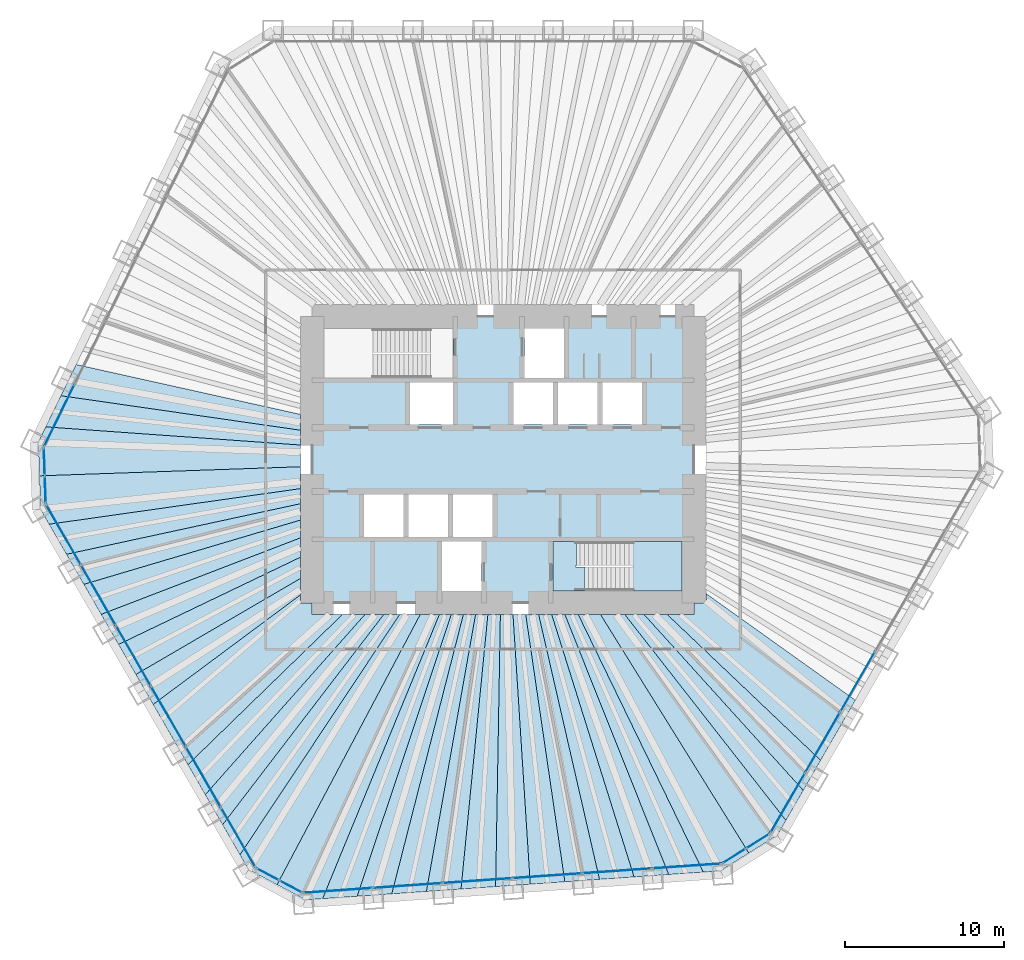
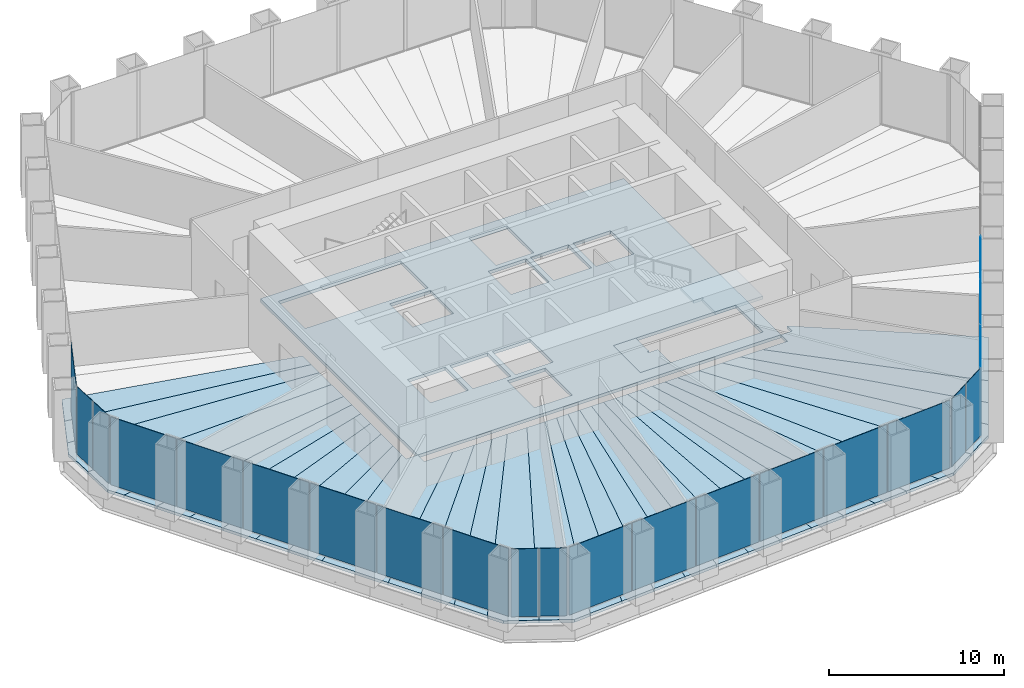
# One storey, part 8 of 14: 35 slabs, 22 plates, 8 elements without a shape of their own.
"""IFC4 building model written with IfcOpenShell, lengths in metres."""

from ifc_helpers import new_model, si_unit, direction, frame, origin, origin_2d, place, context, subcontext, project, spatial, polyline, rectangle, outline, extrude, material, layer, layer_set, type_object, element, aggregate, save


model = new_model("IFC4")

# Units and contexts
model_context = context("Model", 3, precision=1e-05, world=origin(), true_north=direction((0.0, 1.0)))
body_context = subcontext(model_context, "Body", "Model", "MODEL_VIEW")
ifc_project = project(units=[si_unit("LENGTHUNIT", "METRE"), si_unit("AREAUNIT", "SQUARE_METRE"), si_unit("VOLUMEUNIT", "CUBIC_METRE"), si_unit("PLANEANGLEUNIT", "RADIAN"), si_unit("MASSUNIT", "GRAM", prefix="KILO")], contexts=[model_context])

# Site, building, storey
site_placement = place(None, origin())
site = spatial("IfcSite", under=ifc_project, at=site_placement, CompositionType="ELEMENT")
building_placement = place(site_placement, origin())
building = spatial("IfcBuilding", under=site, at=building_placement, Name="Qingtian Harvest Tower", CompositionType="ELEMENT")
storey_placement = place(building_placement, frame((0.0, 0.0, 82.0)))
storey = spatial("IfcBuildingStorey", under=building, at=storey_placement, Name="L16", CompositionType="ELEMENT", Elevation=82.0)

# Slabs
ifc_material_1 = material(Name="Concrete fc' 35 MPa", Category="concrete")
ifc_layer_1 = layer(ifc_material_1, 0.199951171875)
ifc_layer_set_1 = layer_set([ifc_layer_1], Name="Composite floor slab FS20 200")
slab_type_1 = type_object("IfcSlabType", Name="Composite floor slab FS20 200", PredefinedType="FLOOR", material=ifc_layer_set_1)
slab_1_placement = place(storey_placement, frame((0.0, 0.0, -0.199951171875)))
element("IfcSlab", 1, at=slab_1_placement, inside=storey, type_object=slab_type_1, Name="Floor slab L16 panel D01", PredefinedType="FLOOR", context=body_context, shape_type="SweptSolid", body=[
    extrude(outline(polyline([(-29.157470703125, -1.018310546875), (-12.75, -0.447509765625), (-12.75, -1.822998046875), (-28.548583984375, -4.062255859375), (-29.08349609375, -3.135986328125), (-29.157470703125, -1.018310546875)])), origin(), (0.0, 0.0, 1.0), 0.199951171875),
])
slab_2_placement = place(storey_placement, frame((0.0, 0.0, -0.199951171875)))
element("IfcSlab", 2, at=slab_2_placement, inside=storey, type_object=slab_type_1, Name="Floor slab L16 panel D02", PredefinedType="FLOOR", context=body_context, shape_type="SweptSolid", body=[
    extrude(outline(polyline([(-12.75, -2.773681640625), (-27.45751953125, -5.9521484375), (-28.548583984375, -4.062255859375), (-12.75, -1.822998046875), (-12.75, -2.773681640625)])), origin(), (0.0, 0.0, 1.0), 0.199951171875),
])
slab_3_placement = place(storey_placement, frame((0.0, 0.0, -0.199951171875)))
element("IfcSlab", 3, at=slab_3_placement, inside=storey, type_object=slab_type_1, Name="Floor slab L16 panel D03", PredefinedType="FLOOR", context=body_context, shape_type="SweptSolid", body=[
    extrude(outline(polyline([(-12.75, -3.80322265625), (-26.366455078125, -7.842041015625), (-27.45751953125, -5.9521484375), (-12.75, -2.773681640625), (-12.75, -3.80322265625)])), origin(), (0.0, 0.0, 1.0), 0.199951171875),
])
slab_4_placement = place(storey_placement, frame((0.0, 0.0, -0.199951171875)))
element("IfcSlab", 4, at=slab_4_placement, inside=storey, type_object=slab_type_1, Name="Floor slab L16 panel D04", PredefinedType="FLOOR", context=body_context, shape_type="SweptSolid", body=[
    extrude(outline(polyline([(-12.75, -4.921875), (-25.275146484375, -9.732177734375), (-26.366455078125, -7.842041015625), (-12.75, -3.80322265625), (-12.75, -4.921875)])), origin(), (0.0, 0.0, 1.0), 0.199951171875),
])
slab_5_placement = place(storey_placement, frame((0.0, 0.0, -0.199951171875)))
element("IfcSlab", 5, at=slab_5_placement, inside=storey, type_object=slab_type_1, Name="Floor slab L16 panel D05", PredefinedType="FLOOR", context=body_context, shape_type="SweptSolid", body=[
    extrude(outline(polyline([(-12.75, -6.141357421875), (-24.18408203125, -11.6220703125), (-25.275146484375, -9.732177734375), (-12.75, -4.921875), (-12.75, -6.141357421875)])), origin(), (0.0, 0.0, 1.0), 0.199951171875),
])
slab_6_placement = place(storey_placement, frame((0.0, 0.0, -0.199951171875)))
element("IfcSlab", 6, at=slab_6_placement, inside=storey, type_object=slab_type_1, Name="Floor slab L16 panel D06", PredefinedType="FLOOR", context=body_context, shape_type="SweptSolid", body=[
    extrude(outline(polyline([(-12.75, -7.4765625), (-23.0927734375, -13.511962890625), (-24.18408203125, -11.6220703125), (-12.75, -6.141357421875), (-12.75, -7.4765625)])), origin(), (0.0, 0.0, 1.0), 0.199951171875),
])
slab_7_placement = place(storey_placement, frame((0.0, 0.0, -0.199951171875)))
element("IfcSlab", 7, at=slab_7_placement, inside=storey, type_object=slab_type_1, Name="Floor slab L16 panel D07", PredefinedType="FLOOR", context=body_context, shape_type="SweptSolid", body=[
    extrude(outline(polyline([(-12.75, -8.512451171875), (-22.00537109375, -15.3955078125), (-23.0927734375, -13.511962890625), (-12.75, -7.4765625), (-12.75, -8.512451171875)])), origin(), (0.0, 0.0, 1.0), 0.199951171875),
])
slab_8_placement = place(storey_placement, frame((0.0, 0.0, -0.199951171875)))
element("IfcSlab", 8, at=slab_8_placement, inside=storey, type_object=slab_type_1, Name="Floor slab L16 panel D09", PredefinedType="FLOOR", context=body_context, shape_type="SweptSolid", body=[
    extrude(outline(polyline([(-19.81982421875, -19.18115234375), (-22.00537109375, -15.3955078125), (-12.75, -8.512451171875), (-12.75, -9.0), (-12.0, -9.0), (-12.0, -9.75), (-10.1123046875, -9.75), (-19.81982421875, -19.18115234375)])), origin(), (0.0, 0.0, 1.0), 0.199951171875),
])
slab_9_placement = place(storey_placement, frame((0.0, 0.0, -0.199951171875)))
element("IfcSlab", 9, at=slab_9_placement, inside=storey, type_object=slab_type_1, Name="Floor slab L16 panel D10", PredefinedType="FLOOR", context=body_context, shape_type="SweptSolid", body=[
    extrude(outline(polyline([(-8.694580078125, -9.75), (-18.728515625, -21.0712890625), (-19.81982421875, -19.18115234375), (-10.1123046875, -9.75), (-8.694580078125, -9.75)])), origin(), (0.0, 0.0, 1.0), 0.199951171875),
])
slab_10_placement = place(storey_placement, frame((0.0, 0.0, -0.199951171875)))
element("IfcSlab", 10, at=slab_10_placement, inside=storey, type_object=slab_type_1, Name="Floor slab L16 panel D11", PredefinedType="FLOOR", context=body_context, shape_type="SweptSolid", body=[
    extrude(outline(polyline([(-7.511474609375, -9.75), (-17.63720703125, -22.961181640625), (-18.728515625, -21.0712890625), (-8.694580078125, -9.75), (-7.511474609375, -9.75)])), origin(), (0.0, 0.0, 1.0), 0.199951171875),
])
slab_11_placement = place(storey_placement, frame((0.0, 0.0, -0.199951171875)))
element("IfcSlab", 11, at=slab_11_placement, inside=storey, type_object=slab_type_1, Name="Floor slab L16 panel D12", PredefinedType="FLOOR", context=body_context, shape_type="SweptSolid", body=[
    extrude(outline(polyline([(-6.509033203125, -9.75), (-16.546142578125, -24.851318359375), (-17.63720703125, -22.961181640625), (-7.511474609375, -9.75), (-6.509033203125, -9.75)])), origin(), (0.0, 0.0, 1.0), 0.199951171875),
])
slab_12_placement = place(storey_placement, frame((0.0, 0.0, -0.199951171875)))
element("IfcSlab", 12, at=slab_12_placement, inside=storey, type_object=slab_type_1, Name="Floor slab L16 panel D13", PredefinedType="FLOOR", context=body_context, shape_type="SweptSolid", body=[
    extrude(outline(polyline([(-6.509033203125, -9.75), (-5.213623046875, -9.75), (-14.214599609375, -26.73291015625), (-16.01123046875, -25.777587890625), (-16.546142578125, -24.851318359375), (-6.509033203125, -9.75)])), origin(), (0.0, 0.0, 1.0), 0.199951171875),
])
slab_13_placement = place(storey_placement, frame((0.0, 0.0, -0.199951171875)))
element("IfcSlab", 13, at=slab_13_placement, inside=storey, type_object=slab_type_1, Name="Floor slab L16 panel D14", PredefinedType="FLOOR", context=body_context, shape_type="SweptSolid", body=[
    extrude(outline(polyline([(-5.213623046875, -9.75), (-4.006591796875, -9.75), (-11.350341796875, -27.614013671875), (-12.417236328125, -27.688720703125), (-14.214599609375, -26.73291015625), (-5.213623046875, -9.75)])), origin(), (0.0, 0.0, 1.0), 0.199951171875),
])
slab_14_placement = place(storey_placement, frame((0.0, 0.0, -0.199951171875)))
element("IfcSlab", 14, at=slab_14_placement, inside=storey, type_object=slab_type_1, Name="Floor slab L16 panel D15", PredefinedType="FLOOR", context=body_context, shape_type="SweptSolid", body=[
    extrude(outline(polyline([(-3.255859375, -9.75), (-9.17333984375, -27.4619140625), (-11.350341796875, -27.614013671875), (-4.006591796875, -9.75), (-3.255859375, -9.75)])), origin(), (0.0, 0.0, 1.0), 0.199951171875),
])
slab_15_placement = place(storey_placement, frame((0.0, 0.0, -0.199951171875)))
element("IfcSlab", 15, at=slab_15_placement, inside=storey, type_object=slab_type_1, Name="Floor slab L16 panel D16", PredefinedType="FLOOR", context=body_context, shape_type="SweptSolid", body=[
    extrude(outline(polyline([(-2.496826171875, -9.75), (-6.996337890625, -27.3095703125), (-9.17333984375, -27.4619140625), (-3.255859375, -9.75), (-2.496826171875, -9.75)])), origin(), (0.0, 0.0, 1.0), 0.199951171875),
])
slab_16_placement = place(storey_placement, frame((0.0, 0.0, -0.199951171875)))
element("IfcSlab", 16, at=slab_16_placement, inside=storey, type_object=slab_type_1, Name="Floor slab L16 panel D17", PredefinedType="FLOOR", context=body_context, shape_type="SweptSolid", body=[
    extrude(outline(polyline([(-1.729248046875, -9.75), (-4.8193359375, -27.1572265625), (-6.996337890625, -27.3095703125), (-2.496826171875, -9.75), (-1.729248046875, -9.75)])), origin(), (0.0, 0.0, 1.0), 0.199951171875),
])
slab_17_placement = place(storey_placement, frame((0.0, 0.0, -0.199951171875)))
element("IfcSlab", 17, at=slab_17_placement, inside=storey, type_object=slab_type_1, Name="Floor slab L16 panel D18", PredefinedType="FLOOR", context=body_context, shape_type="SweptSolid", body=[
    extrude(outline(polyline([(-0.952880859375, -9.75), (-2.642333984375, -27.005126953125), (-4.8193359375, -27.1572265625), (-1.729248046875, -9.75), (-0.952880859375, -9.75)])), origin(), (0.0, 0.0, 1.0), 0.199951171875),
])
slab_18_placement = place(storey_placement, frame((0.0, 0.0, -0.199951171875)))
element("IfcSlab", 18, at=slab_18_placement, inside=storey, type_object=slab_type_1, Name="Floor slab L16 panel D19", PredefinedType="FLOOR", context=body_context, shape_type="SweptSolid", body=[
    extrude(outline(polyline([(-0.16796875, -9.75), (-0.46533203125, -26.852783203125), (-2.642333984375, -27.005126953125), (-0.952880859375, -9.75), (-0.16796875, -9.75)])), origin(), (0.0, 0.0, 1.0), 0.199951171875),
])
slab_19_placement = place(storey_placement, frame((0.0, 0.0, -0.199951171875)))
element("IfcSlab", 19, at=slab_19_placement, inside=storey, type_object=slab_type_1, Name="Floor slab L16 panel D20", PredefinedType="FLOOR", context=body_context, shape_type="SweptSolid", body=[
    extrude(outline(polyline([(0.626220703125, -9.75), (1.711669921875, -26.70068359375), (-0.46533203125, -26.852783203125), (-0.16796875, -9.75), (0.626220703125, -9.75)])), origin(), (0.0, 0.0, 1.0), 0.199951171875),
])
slab_20_placement = place(storey_placement, frame((0.0, 0.0, -0.199951171875)))
element("IfcSlab", 20, at=slab_20_placement, inside=storey, type_object=slab_type_1, Name="Floor slab L16 panel D21", PredefinedType="FLOOR", context=body_context, shape_type="SweptSolid", body=[
    extrude(outline(polyline([(1.42919921875, -9.75), (3.888671875, -26.54833984375), (1.711669921875, -26.70068359375), (0.626220703125, -9.75), (1.42919921875, -9.75)])), origin(), (0.0, 0.0, 1.0), 0.199951171875),
])
slab_21_placement = place(storey_placement, frame((0.0, 0.0, -0.199951171875)))
element("IfcSlab", 21, at=slab_21_placement, inside=storey, type_object=slab_type_1, Name="Floor slab L16 panel D22", PredefinedType="FLOOR", context=body_context, shape_type="SweptSolid", body=[
    extrude(outline(polyline([(2.24169921875, -9.75), (6.065673828125, -26.396240234375), (3.888671875, -26.54833984375), (1.42919921875, -9.75), (2.24169921875, -9.75)])), origin(), (0.0, 0.0, 1.0), 0.199951171875),
])
slab_22_placement = place(storey_placement, frame((0.0, 0.0, -0.199951171875)))
element("IfcSlab", 22, at=slab_22_placement, inside=storey, type_object=slab_type_1, Name="Floor slab L16 panel D23", PredefinedType="FLOOR", context=body_context, shape_type="SweptSolid", body=[
    extrude(outline(polyline([(3.0634765625, -9.75), (8.24267578125, -26.243896484375), (6.065673828125, -26.396240234375), (2.24169921875, -9.75), (3.0634765625, -9.75)])), origin(), (0.0, 0.0, 1.0), 0.199951171875),
])
slab_23_placement = place(storey_placement, frame((0.0, 0.0, -0.199951171875)))
element("IfcSlab", 23, at=slab_23_placement, inside=storey, type_object=slab_type_1, Name="Floor slab L16 panel D24", PredefinedType="FLOOR", context=body_context, shape_type="SweptSolid", body=[
    extrude(outline(polyline([(3.894775390625, -9.75), (10.419677734375, -26.091796875), (8.24267578125, -26.243896484375), (3.0634765625, -9.75), (3.894775390625, -9.75)])), origin(), (0.0, 0.0, 1.0), 0.199951171875),
])
slab_24_placement = place(storey_placement, frame((0.0, 0.0, -0.199951171875)))
element("IfcSlab", 24, at=slab_24_placement, inside=storey, type_object=slab_type_1, Name="Floor slab L16 panel D25", PredefinedType="FLOOR", context=body_context, shape_type="SweptSolid", body=[
    extrude(outline(polyline([(4.736083984375, -9.75), (12.5966796875, -25.939453125), (10.419677734375, -26.091796875), (3.894775390625, -9.75), (4.736083984375, -9.75)])), origin(), (0.0, 0.0, 1.0), 0.199951171875),
])
slab_25_placement = place(storey_placement, frame((0.0, 0.0, -0.199951171875)))
element("IfcSlab", 25, at=slab_25_placement, inside=storey, type_object=slab_type_1, Name="Floor slab L16 panel D26", PredefinedType="FLOOR", context=body_context, shape_type="SweptSolid", body=[
    extrude(outline(polyline([(4.736083984375, -9.75), (6.136474609375, -9.75), (15.4609375, -24.74169921875), (13.663330078125, -25.864990234375), (12.5966796875, -25.939453125), (4.736083984375, -9.75)])), origin(), (0.0, 0.0, 1.0), 0.199951171875),
])
slab_26_placement = place(storey_placement, frame((0.0, 0.0, -0.199951171875)))
element("IfcSlab", 26, at=slab_26_placement, inside=storey, type_object=slab_type_1, Name="Floor slab L16 panel D27", PredefinedType="FLOOR", context=body_context, shape_type="SweptSolid", body=[
    extrude(outline(polyline([(6.136474609375, -9.75), (7.66748046875, -9.75), (17.79248046875, -22.692626953125), (17.257568359375, -23.618896484375), (15.4609375, -24.74169921875), (6.136474609375, -9.75)])), origin(), (0.0, 0.0, 1.0), 0.199951171875),
])
slab_27_placement = place(storey_placement, frame((0.0, 0.0, -0.199951171875)))
element("IfcSlab", 27, at=slab_27_placement, inside=storey, type_object=slab_type_1, Name="Floor slab L16 panel D28", PredefinedType="FLOOR", context=body_context, shape_type="SweptSolid", body=[
    extrude(outline(polyline([(8.88037109375, -9.75), (18.883544921875, -20.802734375), (17.79248046875, -22.692626953125), (7.66748046875, -9.75), (8.88037109375, -9.75)])), origin(), (0.0, 0.0, 1.0), 0.199951171875),
])
slab_28_placement = place(storey_placement, frame((0.0, 0.0, -0.199951171875)))
element("IfcSlab", 28, at=slab_28_placement, inside=storey, type_object=slab_type_1, Name="Floor slab L16 panel D29", PredefinedType="FLOOR", context=body_context, shape_type="SweptSolid", body=[
    extrude(outline(polyline([(10.337158203125, -9.75), (19.974853515625, -18.91259765625), (18.883544921875, -20.802734375), (8.88037109375, -9.75), (10.337158203125, -9.75)])), origin(), (0.0, 0.0, 1.0), 0.199951171875),
])
slab_29_placement = place(storey_placement, frame((0.0, 0.0, -0.199951171875)))
element("IfcSlab", 29, at=slab_29_placement, inside=storey, type_object=slab_type_1, Name="Floor slab L16 panel D31", PredefinedType="FLOOR", context=body_context, shape_type="SweptSolid", body=[
    extrude(outline(polyline([(12.75, -8.4091796875), (22.159423828125, -15.128662109375), (19.974853515625, -18.91259765625), (10.337158203125, -9.75), (12.0, -9.75), (12.0, -9.0), (12.75, -9.0), (12.75, -8.4091796875)])), origin(), (0.0, 0.0, 1.0), 0.199951171875),
])
slab_30_placement = place(storey_placement, frame((0.0, 0.0, -0.199951171875)))
element("IfcSlab", 30, at=slab_30_placement, inside=storey, type_object=slab_type_1, Name="Floor slab L16 panel D76", PredefinedType="FLOOR", context=body_context, shape_type="SweptSolid", body=[
    extrude(outline(polyline([(-12.75, 1.8525390625), (-27.805908203125, 4.022216796875), (-26.84912109375, 5.98388671875), (-12.75, 2.8505859375), (-12.75, 1.8525390625)])), origin(), (0.0, 0.0, 1.0), 0.199951171875),
])
slab_31_placement = place(storey_placement, frame((0.0, 0.0, -0.199951171875)))
element("IfcSlab", 31, at=slab_31_placement, inside=storey, type_object=slab_type_1, Name="Floor slab L16 panel D77", PredefinedType="FLOOR", context=body_context, shape_type="SweptSolid", body=[
    extrude(outline(polyline([(-12.75, 0.9208984375), (-28.762451171875, 2.060791015625), (-27.805908203125, 4.022216796875), (-12.75, 1.8525390625), (-12.75, 0.9208984375)])), origin(), (0.0, 0.0, 1.0), 0.199951171875),
])
slab_32_placement = place(storey_placement, frame((0.0, 0.0, -0.199951171875)))
element("IfcSlab", 32, at=slab_32_placement, inside=storey, type_object=slab_type_1, Name="Floor slab L16 panel D78", PredefinedType="FLOOR", context=body_context, shape_type="SweptSolid", body=[
    extrude(outline(polyline([(-12.75, 0.9208984375), (-12.75, -0.447509765625), (-29.157470703125, -1.018310546875), (-29.2314453125, 1.099609375), (-28.762451171875, 2.060791015625), (-12.75, 0.9208984375)])), origin(), (0.0, 0.0, 1.0), 0.199951171875),
])
ifc_material_2 = material(Name="Concrete fc' 35 MPa", Category="concrete")
ifc_layer_2 = layer(ifc_material_2, 0.219970703125)
ifc_layer_set_2 = layer_set([ifc_layer_2], Name="Core floor slab CS22 220")
slab_type_2 = type_object("IfcSlabType", Name="Core floor slab CS22 220", PredefinedType="FLOOR", material=ifc_layer_set_2)
slab_33_placement = place(storey_placement, frame((0.0, 0.0, -0.219970703125)))
element("IfcSlab", 33, at=slab_33_placement, inside=storey, type_object=slab_type_2, Name="Core floor slab L16", PredefinedType="FLOOR", context=body_context, shape_type="SweptSolid", body=[
    extrude(outline(polyline([(-12.0, -9.0), (12.0, -9.0), (12.0, 9.0), (-12.0, 9.0), (-12.0, -9.0)]), holes=[polyline([(-11.25, 5.14990234375), (-3.14990234375, 5.14990234375), (-3.14990234375, 8.25), (-11.25, 8.25), (-11.25, 5.14990234375)]), polyline([(3.14990234375, -8.25), (11.25, -8.25), (11.25, -5.14990234375), (3.14990234375, -5.14990234375), (3.14990234375, -8.25)]), polyline([(1.35009765625, 5.14990234375), (3.85009765625, 5.14990234375), (3.85009765625, 8.25), (1.35009765625, 8.25), (1.35009765625, 5.14990234375)]), polyline([(-3.85009765625, -8.25), (-1.35009765625, -8.25), (-1.35009765625, -5.14990234375), (-3.85009765625, -5.14990234375), (-3.85009765625, -8.25)]), polyline([(-5.85009765625, 2.199951171875), (-3.14990234375, 2.199951171875), (-3.14990234375, 4.85009765625), (-5.85009765625, 4.85009765625), (-5.85009765625, 2.199951171875)]), polyline([(0.64990234375, 2.199951171875), (3.14990234375, 2.199951171875), (3.14990234375, 4.85009765625), (0.64990234375, 4.85009765625), (0.64990234375, 2.199951171875)]), polyline([(3.449951171875, 2.199951171875), (5.949951171875, 2.199951171875), (5.949951171875, 4.85009765625), (3.449951171875, 4.85009765625), (3.449951171875, 2.199951171875)]), polyline([(6.25, 2.199951171875), (8.75, 2.199951171875), (8.75, 4.85009765625), (6.25, 4.85009765625), (6.25, 2.199951171875)]), polyline([(-8.75, -4.85009765625), (-6.25, -4.85009765625), (-6.25, -2.199951171875), (-8.75, -2.199951171875), (-8.75, -4.85009765625)]), polyline([(-5.949951171875, -4.85009765625), (-3.449951171875, -4.85009765625), (-3.449951171875, -2.199951171875), (-5.949951171875, -2.199951171875), (-5.949951171875, -4.85009765625)]), polyline([(-3.14990234375, -4.85009765625), (-0.64990234375, -4.85009765625), (-0.64990234375, -2.199951171875), (-3.14990234375, -2.199951171875), (-3.14990234375, -4.85009765625)])]), origin(), (0.0, 0.0, 1.0), 0.219970703125),
])

# Curtain wall, plates
ifc_material_3 = material(Name="Bronze-anodised aluminium curtain wall", Category="aluminium")
curtain_wall_type = type_object("IfcCurtainWallType", Name="Curtain wall CW2 farm reception", PredefinedType="USERDEFINED", material=ifc_material_3)
curtain_wall_1_placement = place(storey_placement, origin())
curtain_wall_1 = element("IfcCurtainWall", 34, at=curtain_wall_1_placement, inside=storey, type_object=curtain_wall_type, Name="Curtain wall CW2 L16 SE0-5", ObjectType="RECESSED CURTAIN WALL", PredefinedType="USERDEFINED")
ifc_material_4 = material(Name="Bronze-tinted laminated insulating glass", Category="glass")
ifc_layer_3 = layer(ifc_material_4, 0.030029296875)
ifc_layer_set_3 = layer_set([ifc_layer_3], Name="Glazed panel CWP tinted IGU")
plate_type = type_object("IfcPlateType", Name="Glazed panel CWP tinted IGU", PredefinedType="CURTAIN_PANEL", material=ifc_layer_set_3)
plate_1_placement = place(storey_placement, frame((22.30419921875, -13.968017578125, 0.06494140625), z_axis=(0.0, 0.0, 1.0), x_axis=(-0.5, -0.866025403784, 0.0)))
plate_1 = element("IfcPlate", 35, at=plate_1_placement, type_object=plate_type, Name="CW2 panel 4.1", PredefinedType="CURTAIN_PANEL", context=body_context, shape_type="SweptSolid", body=[
    extrude(rectangle(XDim=4.339599609375, YDim=0.030029296875, at=origin_2d()), origin(), (0.0, 0.0, 1.0), 4.735107421875),
])
plate_2_placement = place(storey_placement, frame((20.101806640625, -17.782470703125, 0.06494140625), z_axis=(0.0, 0.0, 1.0), x_axis=(-0.5, -0.866025403784, 0.0)))
plate_2 = element("IfcPlate", 36, at=plate_2_placement, type_object=plate_type, Name="CW2 panel 5.1", PredefinedType="CURTAIN_PANEL", context=body_context, shape_type="SweptSolid", body=[
    extrude(rectangle(XDim=4.339599609375, YDim=0.030029296875, at=origin_2d()), origin(), (0.0, 0.0, 1.0), 4.735107421875),
])
plate_3_placement = place(storey_placement, frame((17.90771484375, -21.5830078125, 0.06494140625), z_axis=(0.0, 0.0, 1.0), x_axis=(-0.5, -0.866025403784, 0.0)))
plate_3 = element("IfcPlate", 37, at=plate_3_placement, type_object=plate_type, Name="CW2 panel 6.1", PredefinedType="CURTAIN_PANEL", context=body_context, shape_type="SweptSolid", body=[
    extrude(rectangle(XDim=4.30712890625, YDim=0.030029296875, at=origin_2d()), origin(), (0.0, 0.0, 1.0), 4.735107421875),
])
aggregate(curtain_wall_1, [plate_1, plate_2, plate_3])

curtain_wall_2_placement = place(storey_placement, origin())
curtain_wall_2 = element("IfcCurtainWall", 38, at=curtain_wall_2_placement, inside=storey, type_object=curtain_wall_type, Name="Curtain wall CW2 L16 SEC", ObjectType="RECESSED CURTAIN WALL", PredefinedType="USERDEFINED")
plate_4_placement = place(storey_placement, frame((16.025390625, -23.9873046875, 0.06494140625), z_axis=(0.0, 0.0, 1.0), x_axis=(-0.848048096156, -0.529919264233, 0.0)))
plate_4 = element("IfcPlate", 39, at=plate_4_placement, type_object=plate_type, Name="CW2 panel 1.1", PredefinedType="CURTAIN_PANEL", context=body_context, shape_type="SweptSolid", body=[
    extrude(rectangle(XDim=1.69287109375, YDim=0.030029296875, at=origin_2d()), origin(), (0.0, 0.0, 1.0), 4.735107421875),
])
plate_5_placement = place(storey_placement, frame((14.53466796875, -24.9189453125, 0.06494140625), z_axis=(0.0, 0.0, 1.0), x_axis=(-0.848048096156, -0.529919264233, 0.0)))
plate_5 = element("IfcPlate", 40, at=plate_5_placement, type_object=plate_type, Name="CW2 panel 2.1", PredefinedType="CURTAIN_PANEL", context=body_context, shape_type="SweptSolid", body=[
    extrude(rectangle(XDim=1.69287109375, YDim=0.030029296875, at=origin_2d()), origin(), (0.0, 0.0, 1.0), 4.735107421875),
])
aggregate(curtain_wall_2, [plate_4, plate_5])

curtain_wall_3_placement = place(storey_placement, origin())
curtain_wall_3 = element("IfcCurtainWall", 41, at=curtain_wall_3_placement, inside=storey, type_object=curtain_wall_type, Name="Curtain wall CW2 L16 S0-5", ObjectType="RECESSED CURTAIN WALL", PredefinedType="USERDEFINED")
plate_6_placement = place(storey_placement, frame((11.548583984375, -25.556640625, 0.06494140625), z_axis=(0.0, 0.0, 1.0), x_axis=(-0.99756405026, -0.069756473744, 0.0)))
plate_6 = element("IfcPlate", 42, at=plate_6_placement, type_object=plate_type, Name="CW2 panel 1.1", PredefinedType="CURTAIN_PANEL", context=body_context, shape_type="SweptSolid", body=[
    extrude(rectangle(XDim=4.30712890625, YDim=0.030029296875, at=origin_2d()), origin(), (0.0, 0.0, 1.0), 4.735107421875),
])
plate_7_placement = place(storey_placement, frame((7.1708984375, -25.86279296875, 0.06494140625), z_axis=(0.0, 0.0, 1.0), x_axis=(-0.99756405026, -0.069756473744, 0.0)))
plate_7 = element("IfcPlate", 43, at=plate_7_placement, type_object=plate_type, Name="CW2 panel 2.1", PredefinedType="CURTAIN_PANEL", context=body_context, shape_type="SweptSolid", body=[
    extrude(rectangle(XDim=4.339599609375, YDim=0.030029296875, at=origin_2d()), origin(), (0.0, 0.0, 1.0), 4.735107421875),
])
plate_8_placement = place(storey_placement, frame((2.77685546875, -26.169921875, 0.06494140625), z_axis=(0.0, 0.0, 1.0), x_axis=(-0.99756405026, -0.069756473744, 0.0)))
plate_8 = element("IfcPlate", 44, at=plate_8_placement, type_object=plate_type, Name="CW2 panel 3.1", PredefinedType="CURTAIN_PANEL", context=body_context, shape_type="SweptSolid", body=[
    extrude(rectangle(XDim=4.339599609375, YDim=0.030029296875, at=origin_2d()), origin(), (0.0, 0.0, 1.0), 4.735107421875),
])
plate_9_placement = place(storey_placement, frame((-1.616943359375, -26.477294921875, 0.06494140625), z_axis=(0.0, 0.0, 1.0), x_axis=(-0.99756405026, -0.069756473744, 0.0)))
plate_9 = element("IfcPlate", 45, at=plate_9_placement, type_object=plate_type, Name="CW2 panel 4.1", PredefinedType="CURTAIN_PANEL", context=body_context, shape_type="SweptSolid", body=[
    extrude(rectangle(XDim=4.339599609375, YDim=0.030029296875, at=origin_2d()), origin(), (0.0, 0.0, 1.0), 4.735107421875),
])
plate_10_placement = place(storey_placement, frame((-6.0107421875, -26.784423828125, 0.06494140625), z_axis=(0.0, 0.0, 1.0), x_axis=(-0.99756405026, -0.069756473744, 0.0)))
plate_10 = element("IfcPlate", 46, at=plate_10_placement, type_object=plate_type, Name="CW2 panel 5.1", PredefinedType="CURTAIN_PANEL", context=body_context, shape_type="SweptSolid", body=[
    extrude(rectangle(XDim=4.339599609375, YDim=0.030029296875, at=origin_2d()), origin(), (0.0, 0.0, 1.0), 4.735107421875),
])
plate_11_placement = place(storey_placement, frame((-10.388427734375, -27.090576171875, 0.06494140625), z_axis=(0.0, 0.0, 1.0), x_axis=(-0.99756405026, -0.069756473744, 0.0)))
plate_11 = element("IfcPlate", 47, at=plate_11_placement, type_object=plate_type, Name="CW2 panel 6.1", PredefinedType="CURTAIN_PANEL", context=body_context, shape_type="SweptSolid", body=[
    extrude(rectangle(XDim=4.30712890625, YDim=0.030029296875, at=origin_2d()), origin(), (0.0, 0.0, 1.0), 4.735107421875),
])
aggregate(curtain_wall_3, [plate_6, plate_7, plate_8, plate_9, plate_10, plate_11])

curtain_wall_4_placement = place(storey_placement, origin())
curtain_wall_4 = element("IfcCurtainWall", 48, at=curtain_wall_4_placement, inside=storey, type_object=curtain_wall_type, Name="Curtain wall CW2 L16 SC", ObjectType="RECESSED CURTAIN WALL", PredefinedType="USERDEFINED")
plate_12_placement = place(storey_placement, frame((-13.350830078125, -26.84716796875, 0.06494140625), z_axis=(0.0, 0.0, 1.0), x_axis=(-0.882947592859, 0.469471562786, 0.0)))
plate_12 = element("IfcPlate", 49, at=plate_12_placement, type_object=plate_type, Name="CW2 panel 1.1", PredefinedType="CURTAIN_PANEL", context=body_context, shape_type="SweptSolid", body=[
    extrude(rectangle(XDim=1.56689453125, YDim=0.030029296875, at=origin_2d()), origin(), (0.0, 0.0, 1.0), 4.735107421875),
])
plate_13_placement = place(storey_placement, frame((-14.79150390625, -26.0810546875, 0.06494140625), z_axis=(0.0, 0.0, 1.0), x_axis=(-0.882947592859, 0.469471562786, 0.0)))
plate_13 = element("IfcPlate", 50, at=plate_13_placement, type_object=plate_type, Name="CW2 panel 2.1", PredefinedType="CURTAIN_PANEL", context=body_context, shape_type="SweptSolid", body=[
    extrude(rectangle(XDim=1.56689453125, YDim=0.030029296875, at=origin_2d()), origin(), (0.0, 0.0, 1.0), 4.735107421875),
])
aggregate(curtain_wall_4, [plate_12, plate_13])

curtain_wall_5_placement = place(storey_placement, origin())
curtain_wall_5 = element("IfcCurtainWall", 51, at=curtain_wall_5_placement, inside=storey, type_object=curtain_wall_type, Name="Curtain wall CW2 L16 SW0-5", ObjectType="RECESSED CURTAIN WALL", PredefinedType="USERDEFINED")
plate_14_placement = place(storey_placement, frame((-16.64990234375, -23.76123046875, 0.06494140625), z_axis=(0.0, 0.0, 1.0), x_axis=(-0.5, 0.866025403784, 0.0)))
plate_14 = element("IfcPlate", 52, at=plate_14_placement, type_object=plate_type, Name="CW2 panel 1.1", PredefinedType="CURTAIN_PANEL", context=body_context, shape_type="SweptSolid", body=[
    extrude(rectangle(XDim=4.30712890625, YDim=0.030029296875, at=origin_2d()), origin(), (0.0, 0.0, 1.0), 4.735107421875),
])
plate_15_placement = place(storey_placement, frame((-18.84423828125, -19.9609375, 0.06494140625), z_axis=(0.0, 0.0, 1.0), x_axis=(-0.5, 0.866025403784, 0.0)))
plate_15 = element("IfcPlate", 53, at=plate_15_placement, type_object=plate_type, Name="CW2 panel 2.1", PredefinedType="CURTAIN_PANEL", context=body_context, shape_type="SweptSolid", body=[
    extrude(rectangle(XDim=4.339599609375, YDim=0.030029296875, at=origin_2d()), origin(), (0.0, 0.0, 1.0), 4.735107421875),
])
plate_16_placement = place(storey_placement, frame((-21.04638671875, -16.146484375, 0.06494140625), z_axis=(0.0, 0.0, 1.0), x_axis=(-0.5, 0.866025403784, 0.0)))
plate_16 = element("IfcPlate", 54, at=plate_16_placement, type_object=plate_type, Name="CW2 panel 3.1", PredefinedType="CURTAIN_PANEL", context=body_context, shape_type="SweptSolid", body=[
    extrude(rectangle(XDim=4.339599609375, YDim=0.030029296875, at=origin_2d()), origin(), (0.0, 0.0, 1.0), 4.735107421875),
])
plate_17_placement = place(storey_placement, frame((-23.248779296875, -12.33203125, 0.06494140625), z_axis=(0.0, 0.0, 1.0), x_axis=(-0.5, 0.866025403784, 0.0)))
plate_17 = element("IfcPlate", 55, at=plate_17_placement, type_object=plate_type, Name="CW2 panel 4.1", PredefinedType="CURTAIN_PANEL", context=body_context, shape_type="SweptSolid", body=[
    extrude(rectangle(XDim=4.339599609375, YDim=0.030029296875, at=origin_2d()), origin(), (0.0, 0.0, 1.0), 4.735107421875),
])
plate_18_placement = place(storey_placement, frame((-25.451171875, -8.517333984375, 0.06494140625), z_axis=(0.0, 0.0, 1.0), x_axis=(-0.5, 0.866025403784, 0.0)))
plate_18 = element("IfcPlate", 56, at=plate_18_placement, type_object=plate_type, Name="CW2 panel 5.1", PredefinedType="CURTAIN_PANEL", context=body_context, shape_type="SweptSolid", body=[
    extrude(rectangle(XDim=4.339599609375, YDim=0.030029296875, at=origin_2d()), origin(), (0.0, 0.0, 1.0), 4.735107421875),
])
plate_19_placement = place(storey_placement, frame((-27.645263671875, -4.717041015625, 0.06494140625), z_axis=(0.0, 0.0, 1.0), x_axis=(-0.5, 0.866025403784, 0.0)))
plate_19 = element("IfcPlate", 57, at=plate_19_placement, type_object=plate_type, Name="CW2 panel 6.1", PredefinedType="CURTAIN_PANEL", context=body_context, shape_type="SweptSolid", body=[
    extrude(rectangle(XDim=4.30712890625, YDim=0.030029296875, at=origin_2d()), origin(), (0.0, 0.0, 1.0), 4.735107421875),
])
aggregate(curtain_wall_5, [plate_14, plate_15, plate_16, plate_17, plate_18, plate_19])

curtain_wall_6_placement = place(storey_placement, origin())
curtain_wall_6 = element("IfcCurtainWall", 58, at=curtain_wall_6_placement, inside=storey, type_object=curtain_wall_type, Name="Curtain wall CW2 L16 SWC", ObjectType="RECESSED CURTAIN WALL", PredefinedType="USERDEFINED")
plate_20_placement = place(storey_placement, frame((-28.786376953125, -1.884765625, 0.06494140625), z_axis=(0.0, 0.0, 1.0), x_axis=(-0.034899496703, 0.999390827019, 0.0)))
plate_20 = element("IfcPlate", 59, at=plate_20_placement, type_object=plate_type, Name="CW2 panel 1.1", PredefinedType="CURTAIN_PANEL", context=body_context, shape_type="SweptSolid", body=[
    extrude(rectangle(XDim=1.69287109375, YDim=0.030029296875, at=origin_2d()), origin(), (0.0, 0.0, 1.0), 4.735107421875),
])
plate_21_placement = place(storey_placement, frame((-28.84765625, -0.1279296875, 0.06494140625), z_axis=(0.0, 0.0, 1.0), x_axis=(-0.034899496703, 0.999390827019, 0.0)))
plate_21 = element("IfcPlate", 60, at=plate_21_placement, type_object=plate_type, Name="CW2 panel 2.1", PredefinedType="CURTAIN_PANEL", context=body_context, shape_type="SweptSolid", body=[
    extrude(rectangle(XDim=1.69287109375, YDim=0.030029296875, at=origin_2d()), origin(), (0.0, 0.0, 1.0), 4.735107421875),
])
aggregate(curtain_wall_6, [plate_20, plate_21])

# Curtain wall, plate
curtain_wall_7_placement = place(storey_placement, origin())
curtain_wall_7 = element("IfcCurtainWall", 61, at=curtain_wall_7_placement, inside=storey, type_object=curtain_wall_type, Name="Curtain wall CW2 L16 NW0-5", ObjectType="RECESSED CURTAIN WALL", PredefinedType="USERDEFINED")
plate_22_placement = place(storey_placement, frame((-27.906982421875, 2.777099609375, 0.06494140625), z_axis=(0.0, 0.0, 1.0), x_axis=(0.438371146789, 0.898794046299, 0.0)))
plate_22 = element("IfcPlate", 62, at=plate_22_placement, type_object=plate_type, Name="CW2 panel 1.1", PredefinedType="CURTAIN_PANEL", context=body_context, shape_type="SweptSolid", body=[
    extrude(rectangle(XDim=4.30712890625, YDim=0.030029296875, at=origin_2d()), origin(), (0.0, 0.0, 1.0), 4.735107421875),
])
aggregate(curtain_wall_7, [plate_22])

# Stair, slabs
ifc_material_5 = material(Name="Concrete fc' 35 MPa", Category="concrete")
stair_type = type_object("IfcStairType", Name="Special stair ST2 5000", PredefinedType="HALF_TURN_STAIR", material=ifc_material_5)
stair_placement = place(storey_placement, origin())
stair = element("IfcStair", 63, at=stair_placement, inside=storey, type_object=stair_type, Name="Special stair S2 L16", PredefinedType="HALF_TURN_STAIR")
ifc_material_6 = material(Name="Concrete fc' 35 MPa", Category="concrete")
ifc_layer_4 = layer(ifc_material_6, 0.199951171875)
ifc_layer_set_4 = layer_set([ifc_layer_4], Name="Stair landing SL2 200")
slab_type_3 = type_object("IfcSlabType", Name="Stair landing SL2 200", PredefinedType="LANDING", material=ifc_layer_set_4)
slab_34_placement = place(storey_placement, frame((0.0, 0.0, -0.199951171875)))
slab_34 = element("IfcSlab", 64, at=slab_34_placement, type_object=slab_type_3, Name="S2 landing 1", PredefinedType="LANDING", context=body_context, shape_type="SweptSolid", body=[
    extrude(outline(polyline([(5.155029296875, -8.25), (3.14990234375, -8.25), (3.14990234375, -5.14990234375), (4.64990234375, -5.14990234375), (4.64990234375, -6.64990234375), (4.550048828125, -6.64990234375), (4.550048828125, -6.75), (5.155029296875, -6.75), (5.155029296875, -8.25)])), origin(), (0.0, 0.0, 1.0), 0.199951171875),
])
slab_35_placement = place(storey_placement, frame((0.0, 0.0, 2.300048828125)))
slab_35 = element("IfcSlab", 65, at=slab_35_placement, type_object=slab_type_3, Name="S2 landing 2", PredefinedType="LANDING", context=body_context, shape_type="SweptSolid", body=[
    extrude(outline(polyline([(8.090087890625, -8.25), (8.090087890625, -6.75), (8.18994140625, -6.75), (8.18994140625, -6.64990234375), (7.5849609375, -6.64990234375), (7.5849609375, -5.14990234375), (11.25, -5.14990234375), (11.25, -8.25), (8.090087890625, -8.25)])), origin(), (0.0, 0.0, 1.0), 0.199951171875),
])
aggregate(stair, [slab_34, slab_35])

save(model, "model.ifc")
